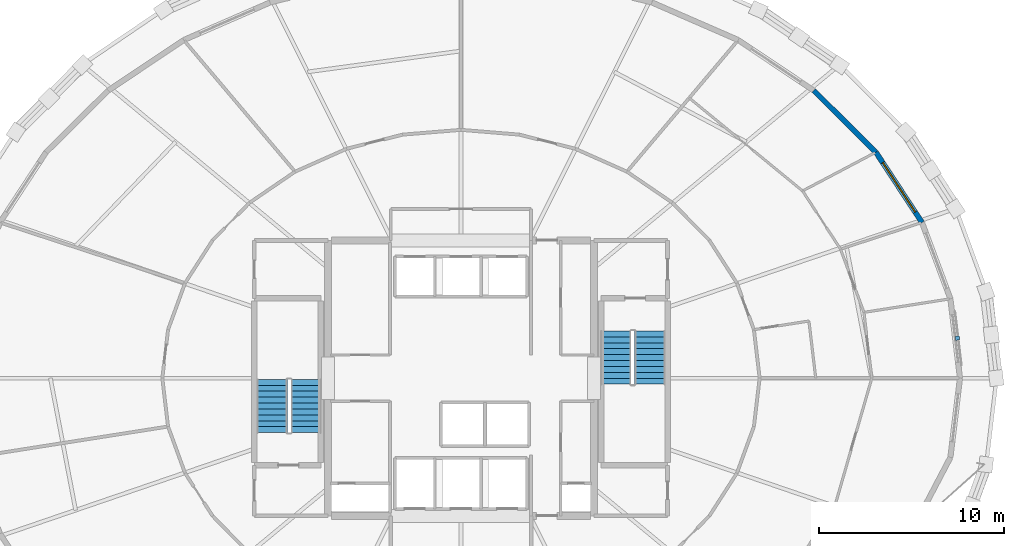
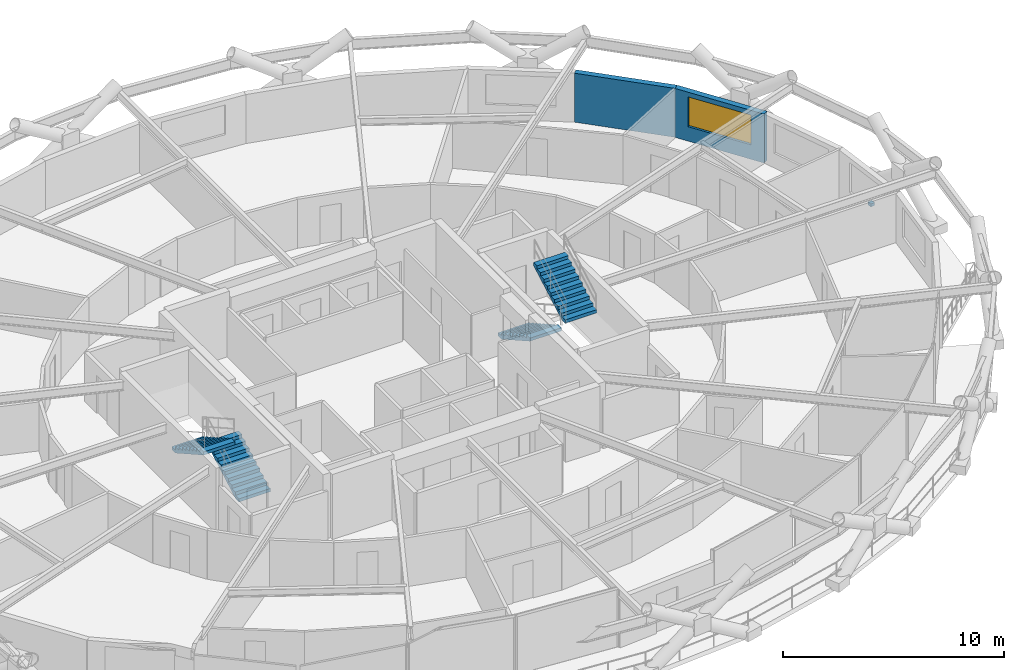
# One storey, part 19 of 21: 4 stair flights, 2 walls, 1 discrete accessory, 1 window, 1 opening, 2 elements without a shape of their own.
"""IFC4 building model written with IfcOpenShell, lengths in metres."""

import ifcopenshell
import ifcopenshell.guid

model = None  # the IFC model being written
_history = None  # IfcOwnerHistory: only IFC2X3 demands one
_inside = {}  # id of a spatial element -> (the spatial element, [elements in it])
_under = {}  # id of a project, library or spatial element -> (it, [spatial elements below it])
_declared = {}  # id of a project -> (the project, [libraries it declares])
_typed = {}  # id of a type object -> (the type object, [elements of that type])
_made_of = {}  # id of a material, layer set ... -> (it, [elements and type objects made of it])


def new_model(schema):
    """Start an empty IFC model of exactly this schema.

    Asked for "IFC4X3", IfcOpenShell would pick the latest addendum, in which some entities
    have other attributes; the version numbers below select the first issue.
    IFC2X3 requires an IfcOwnerHistory on every rooted entity: one is made here for all.
    """
    global model, _history
    if schema == "IFC4X3":
        model = ifcopenshell.file(schema_version=(4, 3, 0, 0))
    else:
        model = ifcopenshell.file(schema=schema)
    _inside.clear()
    _under.clear()
    _declared.clear()
    _typed.clear()
    _made_of.clear()
    _history = None
    if model.schema == "IFC2X3":
        org = make("IfcOrganization", Name="unknown")
        user = make(
            "IfcPersonAndOrganization",
            ThePerson=make("IfcPerson", FamilyName="unknown"),
            TheOrganization=org,
        )
        app = make(
            "IfcApplication",
            ApplicationDeveloper=org,
            Version="unknown",
            ApplicationFullName="unknown",
            ApplicationIdentifier="unknown",
        )
        _history = make(
            "IfcOwnerHistory",
            OwningUser=user,
            OwningApplication=app,
            ChangeAction="ADDED",
            CreationDate=0,
        )
    return model


def make(cls, **values):
    """One entity of the class cls with the attributes given. An attribute that is None is left unset."""
    return model.create_entity(
        cls, **{name: value for name, value in values.items() if value is not None}
    )


def rooted(cls, **values):
    """An entity with a GlobalId (a new one), such as an element, a storey or a relation."""
    return make(cls, GlobalId=ifcopenshell.guid.new(), OwnerHistory=_history, **values)


def si_unit(unit_type, name, prefix=None):
    """IfcSIUnit, for example si_unit("LENGTHUNIT", "METRE", prefix="MILLI")."""
    return make("IfcSIUnit", UnitType=unit_type, Prefix=prefix, Name=name)


def assignment(units):
    """IfcUnitAssignment: the units of a project."""
    return None if units is None else make("IfcUnitAssignment", Units=units)


def point(xyz):
    """IfcCartesianPoint."""
    return None if xyz is None else make("IfcCartesianPoint", Coordinates=xyz)


def direction(xyz):
    """IfcDirection."""
    return None if xyz is None else make("IfcDirection", DirectionRatios=xyz)


def frame(location, z_axis=None, x_axis=None):
    """IfcAxis2Placement3D, a coordinate frame: its origin and axes. An axis left out is left unset."""
    return make(
        "IfcAxis2Placement3D",
        Location=point(location),
        Axis=direction(z_axis),
        RefDirection=direction(x_axis),
    )


def frame_2d(location, x_axis=None):
    """IfcAxis2Placement2D, a coordinate frame in the plane: its origin and x axis."""
    return make(
        "IfcAxis2Placement2D", Location=point(location), RefDirection=direction(x_axis)
    )


def origin():
    """The frame at (0, 0, 0) with its axes left unset."""
    return frame((0.0, 0.0, 0.0))


def origin_2d():
    """The frame at (0, 0) in the plane with its x axis left unset."""
    return frame_2d((0.0, 0.0))


def place(relative_to, where):
    """IfcLocalPlacement: puts the frame where relative to a parent placement (None: the world)."""
    return make(
        "IfcLocalPlacement", PlacementRelTo=relative_to, RelativePlacement=where
    )


def context(
    kind, dimensions, precision=None, world=None, true_north=None, identifier=None
):
    """IfcGeometricRepresentationContext, for example the 3D "Model" context."""
    return make(
        "IfcGeometricRepresentationContext",
        ContextIdentifier=identifier,
        ContextType=kind,
        CoordinateSpaceDimension=dimensions,
        Precision=precision,
        WorldCoordinateSystem=world,
        TrueNorth=true_north,
    )


def subcontext(parent, identifier, kind, view, scale=None):
    """IfcGeometricRepresentationSubContext, for example "Body" below "Model"."""
    return make(
        "IfcGeometricRepresentationSubContext",
        ContextIdentifier=identifier,
        ContextType=kind,
        ParentContext=parent,
        TargetScale=scale,
        TargetView=view,
    )


def project(units=None, contexts=None):
    """IfcProject with its units and contexts."""
    return rooted(
        "IfcProject",
        Name="project",
        RepresentationContexts=contexts,
        UnitsInContext=assignment(units),
    )


def spatial(cls, under=None, at=None, **own):
    """A site, building, storey or space (cls), placed at a placement, below another one or the project."""
    s = rooted(cls, ObjectPlacement=at, **own)
    if under is not None:
        _under.setdefault(under.id(), (under, []))[1].append(s)
    return s


def polyline(points):
    """IfcPolyline through the points."""
    return make("IfcPolyline", Points=[point(p) for p in points])


def profile(cls, at=None, kind="AREA", **sizes):
    """A parametric profile (cls). Its sizes go by their IFC names, for example OverallWidth=200.0."""
    return make(cls, ProfileType=kind, Position=at, **sizes)


def rectangle(**sizes):
    """IfcRectangleProfileDef."""
    return profile("IfcRectangleProfileDef", **sizes)


def outline(outer, holes=None, kind="AREA"):
    """IfcArbitraryClosedProfileDef: a profile drawn as a closed curve; with holes, ...WithVoids."""
    if holes is None:
        return make("IfcArbitraryClosedProfileDef", ProfileType=kind, OuterCurve=outer)
    return make(
        "IfcArbitraryProfileDefWithVoids",
        ProfileType=kind,
        OuterCurve=outer,
        InnerCurves=holes,
    )


def extrude(swept, where, along, depth):
    """IfcExtrudedAreaSolid: the profile swept, set in the frame where, extruded along a direction by depth."""
    return make(
        "IfcExtrudedAreaSolid",
        SweptArea=swept,
        Position=where,
        ExtrudedDirection=direction(along),
        Depth=depth,
    )


def shape(context_of_items, identifier, shape_type, items):
    """IfcShapeRepresentation: the items that make up one representation, for example the "Body"."""
    return make(
        "IfcShapeRepresentation",
        ContextOfItems=context_of_items,
        RepresentationIdentifier=identifier,
        RepresentationType=shape_type,
        Items=items,
    )


def material(Name=None, Category=None):
    """IfcMaterial."""
    return make("IfcMaterial", Name=Name, Category=Category)


def layer(
    of_material, thickness, ventilated=None, Name=None, Category=None, Priority=None
):
    """IfcMaterialLayer: one layer of a wall or slab, of a material (None: an air gap)."""
    return make(
        "IfcMaterialLayer",
        Material=of_material,
        LayerThickness=thickness,
        IsVentilated=ventilated,
        Name=Name,
        Category=Category,
        Priority=Priority,
    )


def layer_set(layers, Name=None):
    """IfcMaterialLayerSet."""
    return make("IfcMaterialLayerSet", MaterialLayers=layers, LayerSetName=Name)


def made_of(thing, what):
    """Note that an element or type object is made of a material, layer set ...; save() writes the relation."""
    if what is not None:
        _made_of.setdefault(what.id(), (what, []))[1].append(thing)
    return thing


def type_object(cls, material=None, **own):
    """A type object (cls), such as IfcWallType, which elements share."""
    return made_of(rooted(cls, **own), material)


def element(
    cls,
    number,
    at=None,
    inside=None,
    cuts=None,
    type_object=None,
    material=None,
    context=None,
    identifier="Body",
    shape_type=None,
    held_by="IfcProductDefinitionShape",
    body=None,
    shapes=None,
    **own,
):
    """One element of the class cls, such as IfcWall. Its Tag is "e" and its number.

    at: its placement. inside: the storey or other place that contains it. cuts: it is an
    opening in that element (IfcRelVoidsElement). A single representation is given by context,
    identifier, shape_type and body (its items); several are given by shapes. held_by: the class
    of the entity that holds the representations. save() writes the other relations.
    """
    e = rooted(cls, Tag="e%d" % number, ObjectPlacement=at, **own)
    if body is not None:
        shapes = [shape(context, identifier, shape_type, body)]
    if shapes is not None:
        e.Representation = make(held_by, Representations=shapes)
    if inside is not None:
        _inside.setdefault(inside.id(), (inside, []))[1].append(e)
    if cuts is not None:
        rooted(
            "IfcRelVoidsElement", RelatingBuildingElement=cuts, RelatedOpeningElement=e
        )
    if type_object is not None:
        _typed.setdefault(type_object.id(), (type_object, []))[1].append(e)
    return made_of(e, material)


def fill(opening, filler):
    """IfcRelFillsElement: the door or window that sits in an opening."""
    return rooted(
        "IfcRelFillsElement",
        RelatingOpeningElement=opening,
        RelatedBuildingElement=filler,
    )


def aggregate(whole, parts):
    """IfcRelAggregates: a whole, such as a stair, and the parts it consists of."""
    return rooted("IfcRelAggregates", RelatingObject=whole, RelatedObjects=parts)


def save(model, path):
    """Write the relations noted so far, then the file.

    IfcRelAggregates (storeys below a building ...), IfcRelContainedInSpatialStructure (elements
    in a storey), IfcRelDefinesByType, IfcRelAssociatesMaterial and IfcRelDeclares: one each for
    every whole, place, type object, material and project.
    """
    for whole, parts in _under.values():
        aggregate(whole, parts)
    for where, things in _inside.values():
        rooted(
            "IfcRelContainedInSpatialStructure",
            RelatedElements=things,
            RelatingStructure=where,
        )
    for kind, things in _typed.values():
        rooted("IfcRelDefinesByType", RelatedObjects=things, RelatingType=kind)
    for what, things in _made_of.values():
        rooted("IfcRelAssociatesMaterial", RelatedObjects=things, RelatingMaterial=what)
    for by, libraries in _declared.values():
        rooted("IfcRelDeclares", RelatingContext=by, RelatedDefinitions=libraries)
    model.write(path)


model = new_model("IFC4")

# Units and contexts
model_context = context("Model", 3, precision=1e-05, world=origin(), true_north=direction((0.0, 1.0)))
body_context = subcontext(model_context, "Body", "Model", "MODEL_VIEW")
ifc_project = project(units=[si_unit("LENGTHUNIT", "METRE"), si_unit("AREAUNIT", "SQUARE_METRE"), si_unit("VOLUMEUNIT", "CUBIC_METRE"), si_unit("PLANEANGLEUNIT", "RADIAN"), si_unit("MASSUNIT", "GRAM", prefix="KILO")], contexts=[model_context])

# Site, building, storey
site_placement = place(None, origin())
site = spatial("IfcSite", under=ifc_project, at=site_placement, CompositionType="ELEMENT")
building_placement = place(site_placement, origin())
building = spatial("IfcBuilding", under=site, at=building_placement, Name="Veldorina Hangang Commons", CompositionType="ELEMENT")
storey_placement = place(building_placement, frame((0.0, 0.0, 73.60009765625)))
storey = spatial("IfcBuildingStorey", under=building, at=storey_placement, Name="L18", CompositionType="ELEMENT", Elevation=73.60009765625)

# Wall, opening, window
ifc_material_1 = material(Name="Stone Roman Travertine", Category="masonry")
ifc_layer = layer(ifc_material_1, 0.280029296875)
ifc_layer_set = layer_set([ifc_layer], Name="Stone Roman Travertine")
wall_type = type_object("IfcWallType", Name="EW-TRAV-280", PredefinedType="STANDARD", material=ifc_layer_set)
wall_1_placement = place(storey_placement, frame((56.947021484375, 32.419921875, 0.0), z_axis=(0.0, 0.0, 1.0), x_axis=(-0.548505219405, 0.836147130765, 0.0)))
wall_1 = element("IfcWall", 1, at=wall_1_placement, inside=storey, type_object=wall_type, Name="L18 travertine facade wall 02", PredefinedType="STANDARD", context=body_context, shape_type="SweptSolid", body=[
    extrude(rectangle(XDim=4.54931640625, YDim=0.280029296875, at=frame_2d((2.274658203125, 0.0))), origin(), (0.0, 0.0, 1.0), 2.7099609375),
])
opening_placement = place(wall_1_placement, frame((0.6748046875, 0.0, 0.800048828125)))
opening = element("IfcOpeningElement", 2, at=opening_placement, cuts=wall_1, Name="Opening W-01", PredefinedType="OPENING", context=body_context, shape_type="SweptSolid", body=[
    extrude(rectangle(XDim=3.199951171875, YDim=1.64990234375, at=frame_2d((1.60009765625, 0.824951171875))), frame((0.0, 0.14990234375, 0.0), z_axis=(0.0, -1.0, 0.0), x_axis=(1.0, 0.0, 0.0)), (0.0, 0.0, 1.0), 0.300048828125),
])
ifc_material_2 = material(Name="Glass Low-E Triple IGU", Category="glass")
window_type = type_object("IfcWindowType", Name="WIN-TWR-3200", PartitioningType="SINGLE_PANEL", PredefinedType="WINDOW", material=ifc_material_2)
window_placement = place(opening_placement, origin())
window = element("IfcWindow", 3, at=window_placement, inside=storey, type_object=window_type, Name="L18 facade window 02", OverallHeight=1.64990234375, OverallWidth=3.199951171875, PartitioningType="SINGLE_PANEL", PredefinedType="WINDOW", context=body_context, shape_type="SweptSolid", body=[
    extrude(rectangle(XDim=3.199951171875, YDim=1.64990234375, at=frame_2d((1.60009765625, 0.824951171875))), frame((0.0, 0.030029296875, 0.0), z_axis=(0.0, -1.0, 0.0), x_axis=(1.0, 0.0, 0.0)), (0.0, 0.0, 1.0), 0.06005859375),
])
fill(opening, window)

# Wall
wall_2_placement = place(storey_placement, frame((54.45166015625, 36.223876953125, 0.0), z_axis=(0.0, 0.0, 1.0), x_axis=(-0.709630207161, 0.704574317645, 0.0)))
element("IfcWall", 4, at=wall_2_placement, inside=storey, type_object=wall_type, Name="L18 travertine facade wall 03", PredefinedType="STANDARD", context=body_context, shape_type="SweptSolid", body=[
    extrude(rectangle(XDim=4.732177734375, YDim=0.280029296875, at=frame_2d((2.3662109375, 0.0))), origin(), (0.0, 0.0, 1.0), 2.7099609375),
])

# Stair, stair flights
ifc_material_3 = material(Name="Concrete C40/50", Category="concrete")
stair_type = type_object("IfcStairType", Name="STR-DOG-1650-20R", PredefinedType="HALF_TURN_STAIR", material=ifc_material_3)
stair_1_placement = place(storey_placement, origin())
stair_1 = element("IfcStair", 5, at=stair_1_placement, inside=storey, type_object=stair_type, Name="L18 Exit stair ST-1", PredefinedType="HALF_TURN_STAIR")
stair_flight_type = type_object("IfcStairFlightType", Name="SFL-STR-1650-20R", PredefinedType="STRAIGHT", material=ifc_material_3)
stair_flight_1_placement = place(storey_placement, frame((23.625, 21.050048828125, 0.0), z_axis=(0.0, 0.0, 1.0), x_axis=(0.0, 1.0, 0.0)))
stair_flight_1 = element("IfcStairFlight", 6, at=stair_flight_1_placement, type_object=stair_flight_type, Name="ST-1 flight 1", NumberOfRisers=10, NumberOfTreads=9, PredefinedType="STRAIGHT", RiserHeight=0.18, TreadLength=0.32, context=body_context, shape_type="SweptSolid", body=[
    extrude(outline(polyline([(0.0, 0.0), (0.0, 0.179931640625), (0.320068359375, 0.179931640625), (0.320068359375, 0.360107421875), (0.639892578125, 0.360107421875), (0.639892578125, 0.5400390625), (0.9599609375, 0.5400390625), (0.9599609375, 0.719970703125), (1.280029296875, 0.719970703125), (1.280029296875, 0.89990234375), (1.60009765625, 0.89990234375), (1.60009765625, 1.080078125), (1.919921875, 1.080078125), (1.919921875, 1.260009765625), (2.239990234375, 1.260009765625), (2.239990234375, 1.43994140625), (2.56005859375, 1.43994140625), (2.56005859375, 1.6201171875), (2.8798828125, 1.6201171875), (2.8798828125, 1.800048828125), (2.8798828125, 1.447998046875), (0.3056640625, 0.0), (0.0, 0.0)])), frame((0.0, 0.824951171875, 0.0), z_axis=(0.0, -1.0, 0.0), x_axis=(1.0, 0.0, 0.0)), (0.0, 0.0, 1.0), 1.64990234375),
])
stair_flight_2_placement = place(storey_placement, frame((21.77490234375, 23.929931640625, 1.7998046875), z_axis=(0.0, 0.0, 1.0), x_axis=(0.0, -1.0, 0.0)))
stair_flight_2 = element("IfcStairFlight", 7, at=stair_flight_2_placement, type_object=stair_flight_type, Name="ST-1 flight 2", NumberOfRisers=10, NumberOfTreads=9, PredefinedType="STRAIGHT", RiserHeight=0.18, TreadLength=0.32, context=body_context, shape_type="SweptSolid", body=[
    extrude(outline(polyline([(0.0, 0.0), (0.0, 0.179931640625), (0.320068359375, 0.179931640625), (0.320068359375, 0.360107421875), (0.639892578125, 0.360107421875), (0.639892578125, 0.5400390625), (0.9599609375, 0.5400390625), (0.9599609375, 0.719970703125), (1.280029296875, 0.719970703125), (1.280029296875, 0.89990234375), (1.60009765625, 0.89990234375), (1.60009765625, 1.080078125), (1.919921875, 1.080078125), (1.919921875, 1.260009765625), (2.239990234375, 1.260009765625), (2.239990234375, 1.43994140625), (2.56005859375, 1.43994140625), (2.56005859375, 1.6201171875), (2.8798828125, 1.6201171875), (2.8798828125, 1.800048828125), (2.8798828125, 1.447998046875), (0.3056640625, 0.0), (0.0, 0.0)])), frame((0.0, 0.824951171875, 0.0), z_axis=(0.0, -1.0, 0.0), x_axis=(1.0, 0.0, 0.0)), (0.0, 0.0, 1.0), 1.64990234375),
])
aggregate(stair_1, [stair_flight_1, stair_flight_2])

stair_2_placement = place(storey_placement, origin())
stair_2 = element("IfcStair", 8, at=stair_2_placement, inside=storey, type_object=stair_type, Name="L18 Exit stair ST-2", PredefinedType="HALF_TURN_STAIR")
stair_flight_3_placement = place(storey_placement, frame((40.375, 26.550048828125, 0.0), z_axis=(0.0, 0.0, 1.0), x_axis=(0.0, -1.0, 0.0)))
stair_flight_3 = element("IfcStairFlight", 9, at=stair_flight_3_placement, type_object=stair_flight_type, Name="ST-2 flight 1", NumberOfRisers=10, NumberOfTreads=9, PredefinedType="STRAIGHT", RiserHeight=0.18, TreadLength=0.32, context=body_context, shape_type="SweptSolid", body=[
    extrude(outline(polyline([(0.0, 0.0), (0.0, 0.179931640625), (0.320068359375, 0.179931640625), (0.320068359375, 0.360107421875), (0.639892578125, 0.360107421875), (0.639892578125, 0.5400390625), (0.9599609375, 0.5400390625), (0.9599609375, 0.719970703125), (1.280029296875, 0.719970703125), (1.280029296875, 0.89990234375), (1.60009765625, 0.89990234375), (1.60009765625, 1.080078125), (1.919921875, 1.080078125), (1.919921875, 1.260009765625), (2.239990234375, 1.260009765625), (2.239990234375, 1.43994140625), (2.56005859375, 1.43994140625), (2.56005859375, 1.6201171875), (2.8798828125, 1.6201171875), (2.8798828125, 1.800048828125), (2.8798828125, 1.447998046875), (0.3056640625, 0.0), (0.0, 0.0)])), frame((0.0, 0.824951171875, 0.0), z_axis=(0.0, -1.0, 0.0), x_axis=(1.0, 0.0, 0.0)), (0.0, 0.0, 1.0), 1.64990234375),
])
stair_flight_4_placement = place(storey_placement, frame((42.22509765625, 23.669921875, 1.7998046875), z_axis=(0.0, 0.0, 1.0), x_axis=(0.0, 1.0, 0.0)))
stair_flight_4 = element("IfcStairFlight", 10, at=stair_flight_4_placement, type_object=stair_flight_type, Name="ST-2 flight 2", NumberOfRisers=10, NumberOfTreads=9, PredefinedType="STRAIGHT", RiserHeight=0.18, TreadLength=0.32, context=body_context, shape_type="SweptSolid", body=[
    extrude(outline(polyline([(0.0, 0.0), (0.0, 0.179931640625), (0.320068359375, 0.179931640625), (0.320068359375, 0.360107421875), (0.639892578125, 0.360107421875), (0.639892578125, 0.5400390625), (0.9599609375, 0.5400390625), (0.9599609375, 0.719970703125), (1.280029296875, 0.719970703125), (1.280029296875, 0.89990234375), (1.60009765625, 0.89990234375), (1.60009765625, 1.080078125), (1.919921875, 1.080078125), (1.919921875, 1.260009765625), (2.239990234375, 1.260009765625), (2.239990234375, 1.43994140625), (2.56005859375, 1.43994140625), (2.56005859375, 1.6201171875), (2.8798828125, 1.6201171875), (2.8798828125, 1.800048828125), (2.8798828125, 1.447998046875), (0.3056640625, 0.0), (0.0, 0.0)])), frame((0.0, 0.824951171875, 0.0), z_axis=(0.0, -1.0, 0.0), x_axis=(1.0, 0.0, 0.0)), (0.0, 0.0, 1.0), 1.64990234375),
])
aggregate(stair_2, [stair_flight_3, stair_flight_4])

# Discrete accessory
ifc_material_4 = material(Name="Stainless Steel Brushed 316", Category="steel")
discrete_accessory_type = type_object("IfcDiscreteAccessoryType", Name="BRK-SCR-SS", PredefinedType="BRACKET", material=ifc_material_4)
discrete_accessory_placement = place(storey_placement, frame((58.862060546875, 26.16064453125, 0.7197265625), z_axis=(0.0, 0.0, 1.0), x_axis=(-0.119980895395, 0.992776200732, 0.0)))
element("IfcDiscreteAccessory", 11, at=discrete_accessory_placement, inside=storey, type_object=discrete_accessory_type, Name="L18 solar screen support bracket 00", PredefinedType="BRACKET", context=body_context, shape_type="SweptSolid", body=[
    extrude(rectangle(XDim=0.219970703125, YDim=0.219970703125, at=origin_2d()), origin(), (0.0, 0.0, 1.0), 0.159912109375),
])

save(model, "model.ifc")
